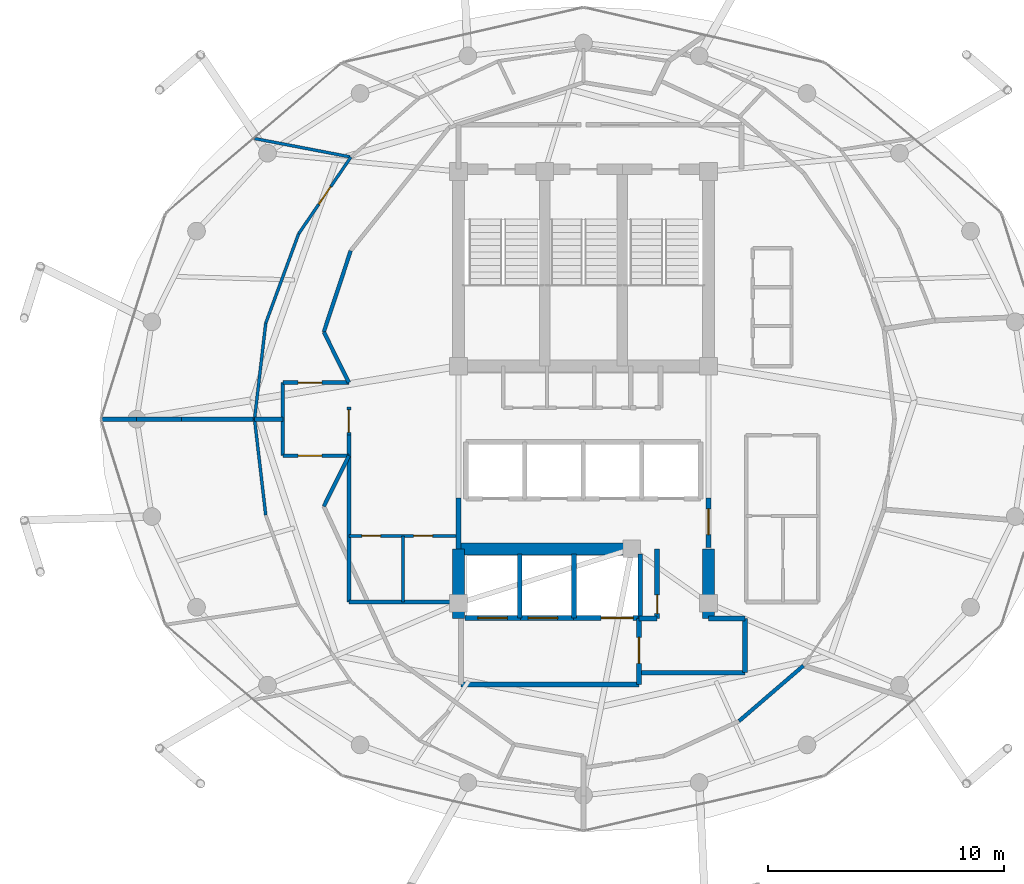
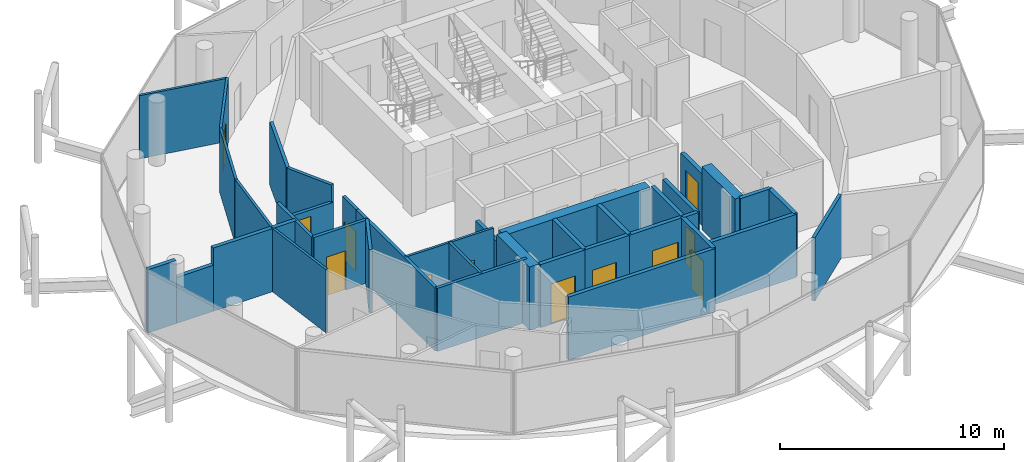
# One storey, part 20 of 24: 39 walls, 12 doors, 12 openings.
"""IFC4 building model written with IfcOpenShell, lengths in metres."""

from ifc_helpers import new_model, si_unit, direction, frame, frame_2d, origin, place, context, subcontext, project, spatial, rectangle, extrude, material, layer, layer_set, type_object, element, fill, save


model = new_model("IFC4")

# Units and contexts
model_context = context("Model", 3, precision=1e-05, world=origin(), true_north=direction((0.0, 1.0)))
body_context = subcontext(model_context, "Body", "Model", "MODEL_VIEW")
ifc_project = project(units=[si_unit("LENGTHUNIT", "METRE"), si_unit("AREAUNIT", "SQUARE_METRE"), si_unit("VOLUMEUNIT", "CUBIC_METRE"), si_unit("PLANEANGLEUNIT", "RADIAN"), si_unit("MASSUNIT", "GRAM", prefix="KILO")], contexts=[model_context])

# Site, building, storey
site_placement = place(None, origin())
site = spatial("IfcSite", under=ifc_project, at=site_placement, CompositionType="ELEMENT")
building_placement = place(site_placement, origin())
building = spatial("IfcBuilding", under=site, at=building_placement, Name="Nuhasar Tower", CompositionType="ELEMENT")
storey_placement = place(building_placement, frame((0.0, 0.0, 297.39990234375)))
storey = spatial("IfcBuildingStorey", under=building, at=storey_placement, Name="L74", CompositionType="ELEMENT", Elevation=297.39990234375)

# Walls
ifc_material_1 = material(Name="Concrete C50/60", Category="concrete")
ifc_layer_1 = layer(ifc_material_1, 0.5)
ifc_layer_set_1 = layer_set([ifc_layer_1], Name="Concrete C50/60")
wall_type_1 = type_object("IfcWallType", Name="WL-CORE-500", PredefinedType="SHEAR", material=ifc_layer_set_1)
for number, where, z_axis, x_axis, name in (
    (1, (33.699951171875, 18.35009765625, 0.0), (0.0, 0.0, 1.0), (0.0, 1.0, 0.0), "L74 Core Shear Wall CW-SW CW-500"),
    (2, (44.300048828125, 18.35009765625, 0.0), (0.0, 0.0, 1.0), (0.0, 1.0, 0.0), "L74 Core Shear Wall CW-SE CW-500"),
):
    element("IfcWall", number, at=place(storey_placement, frame(where, z_axis=z_axis, x_axis=x_axis)), inside=storey, type_object=wall_type_1, Name=name, PredefinedType="SHEAR", context=body_context, shape_type="SweptSolid", body=[
        extrude(rectangle(XDim=2.949951171875, YDim=0.5, at=frame_2d((1.47509765625, 0.0))), origin(), (0.0, 0.0, 1.0), 3.4501953125),
    ])
wall_1_placement = place(storey_placement, frame((33.699951171875, 21.300048828125, 0.0), z_axis=(0.0, 0.0, 1.0), x_axis=(1.0, 0.0, 0.0)))
element("IfcWall", 3, at=wall_1_placement, inside=storey, type_object=wall_type_1, Name="L74 Core Shear Wall CW-S1 CW-500", PredefinedType="SHEAR", context=body_context, shape_type="SweptSolid", body=[
    extrude(rectangle(XDim=7.550048828125, YDim=0.5, at=frame_2d((3.77490234375, 0.0))), origin(), (0.0, 0.0, 1.0), 3.4501953125),
])
ifc_material_2 = material(Name="Gypsum Board", Category="gypsum")
ifc_layer_2 = layer(ifc_material_2, 0.159912109375)
ifc_layer_set_2 = layer_set([ifc_layer_2], Name="Gypsum Board")
wall_type_2 = type_object("IfcWallType", Name="WL-CORR-160", PredefinedType="PARTITIONING", material=ifc_layer_set_2)
wall_2_placement = place(storey_placement, frame((29.050048828125, 19.050048828125, 0.0), z_axis=(0.0, 0.0, 1.0), x_axis=(1.0, 0.0, 0.0)))
element("IfcWall", 4, at=wall_2_placement, inside=storey, type_object=wall_type_2, Name="L74 Interior Partition RECL-B1-S", PredefinedType="PARTITIONING", context=body_context, shape_type="SweptSolid", body=[
    extrude(rectangle(XDim=4.64990234375, YDim=0.159912109375, at=frame_2d((2.324951171875, 0.0))), origin(), (0.0, 0.0, 1.0), 3.4501953125),
])
wall_3_placement = place(storey_placement, frame((29.050048828125, 19.050048828125, 0.0), z_axis=(0.0, 0.0, 1.0), x_axis=(0.0, 1.0, 0.0)))
element("IfcWall", 5, at=wall_3_placement, inside=storey, type_object=wall_type_2, Name="L74 Interior Partition RECL-B1-W", PredefinedType="PARTITIONING", context=body_context, shape_type="SweptSolid", body=[
    extrude(rectangle(XDim=7.070068359375, YDim=0.159912109375, at=frame_2d((3.53515625, 0.0))), origin(), (0.0, 0.0, 1.0), 3.4501953125),
])

# Wall, opening, door
wall_4_placement = place(storey_placement, frame((29.050048828125, 26.1201171875, 0.0), z_axis=(0.0, 0.0, 1.0), x_axis=(0.0, 1.0, 0.0)))
wall_4 = element("IfcWall", 6, at=wall_4_placement, inside=storey, type_object=wall_type_2, Name="L74 Interior Partition WVEST-E", PredefinedType="PARTITIONING", context=body_context, shape_type="SweptSolid", body=[
    extrude(rectangle(XDim=1.199951171875, YDim=0.159912109375, at=frame_2d((0.60009765625, 0.0))), origin(), (0.0, 0.0, 1.0), 3.4501953125),
])
opening_1_placement = place(wall_4_placement, frame((0.125, 0.0, 0.0)))
opening_1 = element("IfcOpeningElement", 7, at=opening_1_placement, cuts=wall_4, Name="Opening DO-01", PredefinedType="OPENING", context=body_context, shape_type="SweptSolid", body=[
    extrude(rectangle(XDim=0.949951171875, YDim=2.14990234375, at=frame_2d((0.47509765625, 1.074951171875))), frame((0.0, 0.08984375, 0.0), z_axis=(0.0, -1.0, 0.0), x_axis=(1.0, 0.0, 0.0)), (0.0, 0.0, 1.0), 0.179931640625),
])
ifc_material_3 = material(Name="Timber Oak", Category="wood")
door_type_1 = type_object("IfcDoorType", Name="DR-OFFICE-FD30-950", OperationType="NOTDEFINED", PredefinedType="DOOR", material=ifc_material_3)
door_1_placement = place(opening_1_placement, origin())
door_1 = element("IfcDoor", 8, at=door_1_placement, inside=storey, type_object=door_type_1, Name="L74 West Arrival Foyer Core Door", OperationType="SINGLE_SWING_RIGHT", OverallHeight=2.14990234375, OverallWidth=0.949951171875, PredefinedType="DOOR", context=body_context, shape_type="SweptSolid", body=[
    extrude(rectangle(XDim=0.949951171875, YDim=2.14990234375, at=frame_2d((0.47509765625, 1.074951171875))), frame((0.0, 0.02490234375, 0.0), z_axis=(0.0, -1.0, 0.0), x_axis=(1.0, 0.0, 0.0)), (0.0, 0.0, 1.0), 0.050048828125),
])
fill(opening_1, door_1)

# Walls
wall_5_placement = place(storey_placement, frame((45.594970703125, 14.0, 0.0), z_axis=(0.0, 0.0, 1.0), x_axis=(0.758232091793, 0.651984735231, 0.0)))
element("IfcWall", 9, at=wall_5_placement, inside=storey, type_object=wall_type_2, Name="L74 Interior Partition CORR-40", PredefinedType="PARTITIONING", context=body_context, shape_type="SweptSolid", body=[
    extrude(rectangle(XDim=3.60302734375, YDim=0.159912109375, at=frame_2d((1.801513671875, 0.0))), origin(), (0.0, 0.0, 1.0), 3.4501953125),
])
wall_6_placement = place(storey_placement, frame((29.126953125, 33.93994140625, 0.0), z_axis=(0.0, 0.0, 1.0), x_axis=(-0.313985571683, -0.949427754374, 0.0)))
element("IfcWall", 10, at=wall_6_placement, inside=storey, type_object=wall_type_2, Name="L74 Interior Partition UWEST-CORE-N2-20", PredefinedType="PARTITIONING", context=body_context, shape_type="SweptSolid", body=[
    extrude(rectangle(XDim=3.627197265625, YDim=0.159912109375, at=frame_2d((1.8134765625, 0.0))), origin(), (0.0, 0.0, 1.0), 3.4501953125),
])

# Wall, opening, door
wall_7_placement = place(storey_placement, frame((26.25, 28.35009765625, 0.0), z_axis=(0.0, 0.0, 1.0), x_axis=(1.0, 0.0, 0.0)))
wall_7 = element("IfcWall", 11, at=wall_7_placement, inside=storey, type_object=wall_type_2, Name="L74 Interior Partition WVEST-N", PredefinedType="PARTITIONING", context=body_context, shape_type="SweptSolid", body=[
    extrude(rectangle(XDim=2.800048828125, YDim=0.159912109375, at=frame_2d((1.39990234375, 0.0))), origin(), (0.0, 0.0, 1.0), 2.51513671875),
])
opening_2_placement = place(wall_7_placement, frame((0.64990234375, 0.0, 0.0)))
opening_2 = element("IfcOpeningElement", 12, at=opening_2_placement, cuts=wall_7, Name="Opening DU-02", PredefinedType="OPENING", context=body_context, shape_type="SweptSolid", body=[
    extrude(rectangle(XDim=1.0, YDim=2.14990234375, at=frame_2d((0.5, 1.074951171875))), frame((0.0, 0.08984375, 0.0), z_axis=(0.0, -1.0, 0.0), x_axis=(1.0, 0.0, 0.0)), (0.0, 0.0, 1.0), 0.179931640625),
])
door_type_2 = type_object("IfcDoorType", Name="DR-FLAT-FD60-1000", OperationType="NOTDEFINED", PredefinedType="DOOR", material=ifc_material_3)
door_2_placement = place(opening_2_placement, origin())
door_2 = element("IfcDoor", 13, at=door_2_placement, inside=storey, type_object=door_type_2, Name="L74 North-West Sky Home Entrance", OperationType="SINGLE_SWING_LEFT", OverallHeight=2.14990234375, OverallWidth=1.0, PredefinedType="DOOR", context=body_context, shape_type="SweptSolid", body=[
    extrude(rectangle(XDim=1.0, YDim=2.14990234375, at=frame_2d((0.5, 1.074951171875))), frame((0.0, 0.02490234375, 0.0), z_axis=(0.0, -1.0, 0.0), x_axis=(1.0, 0.0, 0.0)), (0.0, 0.0, 1.0), 0.050048828125),
])
fill(opening_2, door_2)

wall_8_placement = place(storey_placement, frame((26.25, 25.25, 0.0), z_axis=(0.0, 0.0, 1.0), x_axis=(1.0, 0.0, 0.0)))
wall_8 = element("IfcWall", 14, at=wall_8_placement, inside=storey, type_object=wall_type_2, Name="L74 Interior Partition WVEST-S", PredefinedType="PARTITIONING", context=body_context, shape_type="SweptSolid", body=[
    extrude(rectangle(XDim=2.800048828125, YDim=0.159912109375, at=frame_2d((1.39990234375, 0.0))), origin(), (0.0, 0.0, 1.0), 3.4501953125),
])
opening_3_placement = place(wall_8_placement, frame((0.64990234375, 0.0, 0.0)))
opening_3 = element("IfcOpeningElement", 15, at=opening_3_placement, cuts=wall_8, Name="Opening DU-02", PredefinedType="OPENING", context=body_context, shape_type="SweptSolid", body=[
    extrude(rectangle(XDim=1.0, YDim=2.14990234375, at=frame_2d((0.5, 1.074951171875))), frame((0.0, 0.08984375, 0.0), z_axis=(0.0, -1.0, 0.0), x_axis=(1.0, 0.0, 0.0)), (0.0, 0.0, 1.0), 0.179931640625),
])
door_3_placement = place(opening_3_placement, origin())
door_3 = element("IfcDoor", 16, at=door_3_placement, inside=storey, type_object=door_type_2, Name="L74 South-West Sky Home Entrance", OperationType="SINGLE_SWING_LEFT", OverallHeight=2.14990234375, OverallWidth=1.0, PredefinedType="DOOR", context=body_context, shape_type="SweptSolid", body=[
    extrude(rectangle(XDim=1.0, YDim=2.14990234375, at=frame_2d((0.5, 1.074951171875))), frame((0.0, 0.02490234375, 0.0), z_axis=(0.0, -1.0, 0.0), x_axis=(1.0, 0.0, 0.0)), (0.0, 0.0, 1.0), 0.050048828125),
])
fill(opening_3, door_3)

# Walls
wall_9_placement = place(storey_placement, frame((26.25, 25.25, 0.0), z_axis=(0.0, 0.0, 1.0), x_axis=(0.0, 1.0, 0.0)))
element("IfcWall", 17, at=wall_9_placement, inside=storey, type_object=wall_type_2, Name="L74 Interior Partition WVEST-W", PredefinedType="PARTITIONING", context=body_context, shape_type="SweptSolid", body=[
    extrude(rectangle(XDim=3.10009765625, YDim=0.159912109375, at=frame_2d((1.550048828125, 0.0))), origin(), (0.0, 0.0, 1.0), 3.4501953125),
])
for number, where, z_axis, x_axis, name in (
    (18, (27.988037109375, 30.49609375, 0.0), (0.0, 0.0, 1.0), (0.443539160525, -0.896254993337, 0.0), "L74 Interior Partition WVEST-CN"),
    (19, (27.988037109375, 23.10400390625, 0.0), (0.0, 0.0, 1.0), (0.443539160525, 0.896254993337, 0.0), "L74 Interior Partition WVEST-CS"),
):
    element("IfcWall", number, at=place(storey_placement, frame(where, z_axis=z_axis, x_axis=x_axis)), inside=storey, type_object=wall_type_2, Name=name, PredefinedType="PARTITIONING", context=body_context, shape_type="SweptSolid", body=[
        extrude(rectangle(XDim=2.394287109375, YDim=0.159912109375, at=frame_2d((1.197265625, 0.0))), origin(), (0.0, 0.0, 1.0), 3.4501953125),
    ])
ifc_material_4 = material(Name="Concrete C45/55", Category="concrete")
ifc_layer_3 = layer(ifc_material_4, 0.199951171875)
ifc_layer_set_3 = layer_set([ifc_layer_3], Name="Concrete C45/55")
wall_type_3 = type_object("IfcWallType", Name="WL-LOBBY-200", PredefinedType="SOLIDWALL", material=ifc_layer_set_3)
wall_10_placement = place(storey_placement, frame((33.699951171875, 21.300048828125, 0.0), z_axis=(0.0, 0.0, 1.0), x_axis=(0.0, 1.0, 0.0)))
element("IfcWall", 20, at=wall_10_placement, inside=storey, type_object=wall_type_3, Name="L74 Interior Partition LLBH-W", PredefinedType="SOLIDWALL", context=body_context, shape_type="SweptSolid", body=[
    extrude(rectangle(XDim=2.14990234375, YDim=0.199951171875, at=frame_2d((1.074951171875, 0.0))), origin(), (0.0, 0.0, 1.0), 2.835205078125),
])

# Wall, opening, door
wall_11_placement = place(storey_placement, frame((44.300048828125, 21.35009765625, 0.0), z_axis=(0.0, 0.0, 1.0), x_axis=(0.0, 1.0, 0.0)))
wall_11 = element("IfcWall", 21, at=wall_11_placement, inside=storey, type_object=wall_type_3, Name="L74 Interior Partition LLBH-E", PredefinedType="SOLIDWALL", context=body_context, shape_type="SweptSolid", body=[
    extrude(rectangle(XDim=2.099853515625, YDim=0.199951171875, at=frame_2d((1.0498046875, 0.0))), origin(), (0.0, 0.0, 1.0), 2.835205078125),
])
opening_4_placement = place(wall_11_placement, frame((0.550048828125, 0.0, 0.0)))
opening_4 = element("IfcOpeningElement", 22, at=opening_4_placement, cuts=wall_11, Name="Opening DS-02", PredefinedType="OPENING", context=body_context, shape_type="SweptSolid", body=[
    extrude(rectangle(XDim=1.10009765625, YDim=2.14990234375, at=frame_2d((0.550048828125, 1.074951171875))), frame((0.0, 0.10986328125, 0.0), z_axis=(0.0, -1.0, 0.0), x_axis=(1.0, 0.0, 0.0)), (0.0, 0.0, 1.0), 0.219970703125),
])
ifc_material_5 = material(Name="Steel S355", Category="steel")
door_type_3 = type_object("IfcDoorType", Name="DR-FFL-FD120-1100", OperationType="NOTDEFINED", PredefinedType="DOOR", material=ifc_material_5)
door_4_placement = place(opening_4_placement, origin())
door_4 = element("IfcDoor", 23, at=door_4_placement, inside=storey, type_object=door_type_3, Name="L74 High-Rise Lobby East Door", OperationType="SINGLE_SWING_RIGHT", OverallHeight=2.14990234375, OverallWidth=1.10009765625, PredefinedType="DOOR", context=body_context, shape_type="SweptSolid", body=[
    extrude(rectangle(XDim=1.10009765625, YDim=2.14990234375, at=frame_2d((0.550048828125, 1.074951171875))), frame((0.0, 0.02490234375, 0.0), z_axis=(0.0, -1.0, 0.0), x_axis=(1.0, 0.0, 0.0)), (0.0, 0.0, 1.0), 0.050048828125),
])
fill(opening_4, door_4)

# Wall
wall_12_placement = place(storey_placement, frame((33.800048828125, 15.550048828125, 0.0), z_axis=(0.0, 0.0, 1.0), x_axis=(1.0, 0.0, 0.0)))
element("IfcWall", 24, at=wall_12_placement, inside=storey, type_object=wall_type_3, Name="L74 Interior Partition FFL-S", PredefinedType="SOLIDWALL", context=body_context, shape_type="SweptSolid", body=[
    extrude(rectangle(XDim=7.550048828125, YDim=0.199951171875, at=frame_2d((3.77490234375, 0.0))), origin(), (0.0, 0.0, 1.0), 3.4501953125),
])

# Wall, opening, door
wall_13_placement = place(storey_placement, frame((41.35009765625, 15.550048828125, 0.0), z_axis=(0.0, 0.0, 1.0), x_axis=(0.0, 1.0, 0.0)))
wall_13 = element("IfcWall", 25, at=wall_13_placement, inside=storey, type_object=wall_type_3, Name="L74 Interior Partition FFL-E", PredefinedType="SOLIDWALL", context=body_context, shape_type="SweptSolid", body=[
    extrude(rectangle(XDim=2.800048828125, YDim=0.199951171875, at=frame_2d((1.39990234375, 0.0))), origin(), (0.0, 0.0, 1.0), 3.4501953125),
])
opening_5_placement = place(wall_13_placement, frame((0.89990234375, 0.0, 0.0)))
opening_5 = element("IfcOpeningElement", 26, at=opening_5_placement, cuts=wall_13, Name="Opening DS-02", PredefinedType="OPENING", context=body_context, shape_type="SweptSolid", body=[
    extrude(rectangle(XDim=1.10009765625, YDim=2.14990234375, at=frame_2d((0.550048828125, 1.074951171875))), frame((0.0, 0.10986328125, 0.0), z_axis=(0.0, -1.0, 0.0), x_axis=(1.0, 0.0, 0.0)), (0.0, 0.0, 1.0), 0.219970703125),
])
door_5_placement = place(opening_5_placement, origin())
door_5 = element("IfcDoor", 27, at=door_5_placement, inside=storey, type_object=door_type_3, Name="L74 Firefighting Lobby Door", OperationType="SINGLE_SWING_RIGHT", OverallHeight=2.14990234375, OverallWidth=1.10009765625, PredefinedType="DOOR", context=body_context, shape_type="SweptSolid", body=[
    extrude(rectangle(XDim=1.10009765625, YDim=2.14990234375, at=frame_2d((0.550048828125, 1.074951171875))), frame((0.0, 0.02490234375, 0.0), z_axis=(0.0, -1.0, 0.0), x_axis=(1.0, 0.0, 0.0)), (0.0, 0.0, 1.0), 0.050048828125),
])
fill(opening_5, door_5)

# Walls
wall_14_placement = place(storey_placement, frame((41.35009765625, 16.050048828125, 0.0), z_axis=(0.0, 0.0, 1.0), x_axis=(1.0, 0.0, 0.0)))
element("IfcWall", 28, at=wall_14_placement, inside=storey, type_object=wall_type_3, Name="L74 Interior Partition SVLV-S", PredefinedType="SOLIDWALL", context=body_context, shape_type="SweptSolid", body=[
    extrude(rectangle(XDim=4.5, YDim=0.199951171875, at=frame_2d((2.25, 0.0))), origin(), (0.0, 0.0, 1.0), 3.4501953125),
])
wall_15_placement = place(storey_placement, frame((45.85009765625, 16.050048828125, 0.0), z_axis=(0.0, 0.0, 1.0), x_axis=(0.0, 1.0, 0.0)))
element("IfcWall", 29, at=wall_15_placement, inside=storey, type_object=wall_type_3, Name="L74 Interior Partition SVLV-E", PredefinedType="SOLIDWALL", context=body_context, shape_type="SweptSolid", body=[
    extrude(rectangle(XDim=2.300048828125, YDim=0.199951171875, at=frame_2d((1.14990234375, 0.0))), origin(), (0.0, 0.0, 1.0), 3.4501953125),
])
wall_16_placement = place(storey_placement, frame((44.300048828125, 18.35009765625, 0.0), z_axis=(0.0, 0.0, 1.0), x_axis=(1.0, 0.0, 0.0)))
element("IfcWall", 30, at=wall_16_placement, inside=storey, type_object=wall_type_3, Name="L74 Interior Partition SVLV-N", PredefinedType="SOLIDWALL", context=body_context, shape_type="SweptSolid", body=[
    extrude(rectangle(XDim=1.550048828125, YDim=0.199951171875, at=frame_2d((0.77490234375, 0.0))), origin(), (0.0, 0.0, 1.0), 3.4501953125),
])

# Wall, openings, doors
ifc_layer_4 = layer(ifc_material_2, 0.125)
ifc_layer_set_4 = layer_set([ifc_layer_4], Name="Gypsum Board")
wall_type_4 = type_object("IfcWallType", Name="WL-PART-125", PredefinedType="PARTITIONING", material=ifc_layer_set_4)
wall_17_placement = place(storey_placement, frame((33.60009765625, 21.85009765625, 0.0), z_axis=(0.0, 0.0, 1.0), x_axis=(-1.0, 0.0, 0.0)))
wall_17 = element("IfcWall", 31, at=wall_17_placement, inside=storey, type_object=wall_type_4, Name="L74 Interior Partition HKPK1-N", PredefinedType="PARTITIONING", context=body_context, shape_type="SweptSolid", body=[
    extrude(rectangle(XDim=4.550048828125, YDim=0.125, at=frame_2d((2.27490234375, 0.0))), origin(), (0.0, 0.0, 1.0), 3.4501953125),
])
opening_6_placement = place(wall_17_placement, frame((3.199951171875, 0.0, 0.0)))
opening_6 = element("IfcOpeningElement", 32, at=opening_6_placement, cuts=wall_17, Name="Opening DM-01", PredefinedType="OPENING", context=body_context, shape_type="SweptSolid", body=[
    extrude(rectangle(XDim=0.800048828125, YDim=2.050048828125, at=frame_2d((0.39990234375, 1.02490234375))), frame((0.0, 0.072509765625, 0.0), z_axis=(0.0, -1.0, 0.0), x_axis=(1.0, 0.0, 0.0)), (0.0, 0.0, 1.0), 0.14501953125),
])
opening_7_placement = place(wall_17_placement, frame((1.0, 0.0, 0.0)))
opening_7 = element("IfcOpeningElement", 33, at=opening_7_placement, cuts=wall_17, Name="Opening DM-01", PredefinedType="OPENING", context=body_context, shape_type="SweptSolid", body=[
    extrude(rectangle(XDim=0.800048828125, YDim=2.050048828125, at=frame_2d((0.39990234375, 1.02490234375))), frame((0.0, 0.072509765625, 0.0), z_axis=(0.0, -1.0, 0.0), x_axis=(1.0, 0.0, 0.0)), (0.0, 0.0, 1.0), 0.14501953125),
])
door_type_4 = type_object("IfcDoorType", Name="DR-RISER-FD60-800", OperationType="NOTDEFINED", PredefinedType="DOOR", material=ifc_material_5)
door_6_placement = place(opening_6_placement, origin())
door_6 = element("IfcDoor", 34, at=door_6_placement, inside=storey, type_object=door_type_4, Name="L74 Housekeeping Closet Door", OperationType="SINGLE_SWING_RIGHT", OverallHeight=2.050048828125, OverallWidth=0.800048828125, PredefinedType="DOOR", context=body_context, shape_type="SweptSolid", body=[
    extrude(rectangle(XDim=0.800048828125, YDim=2.050048828125, at=frame_2d((0.39990234375, 1.02490234375))), frame((0.0, 0.02490234375, 0.0), z_axis=(0.0, -1.0, 0.0), x_axis=(1.0, 0.0, 0.0)), (0.0, 0.0, 1.0), 0.050048828125),
])
fill(opening_6, door_6)
door_7_placement = place(opening_7_placement, origin())
door_7 = element("IfcDoor", 35, at=door_7_placement, inside=storey, type_object=door_type_4, Name="L74 Linen Store Door", OperationType="SINGLE_SWING_LEFT", OverallHeight=2.050048828125, OverallWidth=0.800048828125, PredefinedType="DOOR", context=body_context, shape_type="SweptSolid", body=[
    extrude(rectangle(XDim=0.800048828125, YDim=2.050048828125, at=frame_2d((0.39990234375, 1.02490234375))), frame((0.0, 0.02490234375, 0.0), z_axis=(0.0, -1.0, 0.0), x_axis=(1.0, 0.0, 0.0)), (0.0, 0.0, 1.0), 0.050048828125),
])
fill(opening_7, door_7)

# Wall
wall_18_placement = place(storey_placement, frame((31.35009765625, 19.050048828125, 0.0), z_axis=(0.0, 0.0, 1.0), x_axis=(0.0, 1.0, 0.0)))
element("IfcWall", 36, at=wall_18_placement, inside=storey, type_object=wall_type_4, Name="L74 Interior Partition HKPK1-V", PredefinedType="PARTITIONING", context=body_context, shape_type="SweptSolid", body=[
    extrude(rectangle(XDim=2.800048828125, YDim=0.125, at=frame_2d((1.39990234375, 0.0))), origin(), (0.0, 0.0, 1.0), 3.4501953125),
])

# Wall, opening, door
wall_19_placement = place(storey_placement, frame((26.9189453125, 34.659912109375, 0.0), z_axis=(0.0, 0.0, 1.0), x_axis=(0.562811699753, 0.826585138157, 0.0)))
wall_19 = element("IfcWall", 37, at=wall_19_placement, inside=storey, type_object=wall_type_4, Name="L74 Interior Partition USM-1-D-18", PredefinedType="PARTITIONING", context=body_context, shape_type="SweptSolid", body=[
    extrude(rectangle(XDim=3.939208984375, YDim=0.125, at=frame_2d((1.9697265625, 0.0))), origin(), (0.0, 0.0, 1.0), 3.4501953125),
])
opening_8_placement = place(wall_19_placement, frame((1.52001953125, 0.0, 0.0)))
opening_8 = element("IfcOpeningElement", 38, at=opening_8_placement, cuts=wall_19, Name="Opening DR-01", PredefinedType="OPENING", context=body_context, shape_type="SweptSolid", body=[
    extrude(rectangle(XDim=0.89990234375, YDim=2.10009765625, at=frame_2d((0.449951171875, 1.050048828125))), frame((0.0, 0.072509765625, 0.0), z_axis=(0.0, -1.0, 0.0), x_axis=(1.0, 0.0, 0.0)), (0.0, 0.0, 1.0), 0.14501953125),
])
door_type_5 = type_object("IfcDoorType", Name="DR-ROOM-900", OperationType="NOTDEFINED", PredefinedType="DOOR", material=ifc_material_3)
door_8_placement = place(opening_8_placement, origin())
door_8 = element("IfcDoor", 39, at=door_8_placement, inside=storey, type_object=door_type_5, Name="L74 North-West Sky Home Living Door", OperationType="SINGLE_SWING_RIGHT", OverallHeight=2.10009765625, OverallWidth=0.89990234375, PredefinedType="DOOR", context=body_context, shape_type="SweptSolid", body=[
    extrude(rectangle(XDim=0.89990234375, YDim=2.10009765625, at=frame_2d((0.449951171875, 1.050048828125))), frame((0.0, 0.02490234375, 0.0), z_axis=(0.0, -1.0, 0.0), x_axis=(1.0, 0.0, 0.0)), (0.0, 0.0, 1.0), 0.050048828125),
])
fill(opening_8, door_8)

# Walls
wall_20_placement = place(storey_placement, frame((26.9189453125, 34.659912109375, 0.0), z_axis=(0.0, 0.0, 1.0), x_axis=(-0.345128286029, -0.938555521097, 0.0)))
element("IfcWall", 40, at=wall_20_placement, inside=storey, type_object=wall_type_4, Name="L74 Interior Partition USM-1-D-20", PredefinedType="PARTITIONING", context=body_context, shape_type="SweptSolid", body=[
    extrude(rectangle(XDim=4.039306640625, YDim=0.125, at=frame_2d((2.01953125, 0.0))), origin(), (0.0, 0.0, 1.0), 3.4501953125),
])
wall_21_placement = place(storey_placement, frame((25.52490234375, 30.868896484375, 0.0), z_axis=(0.0, 0.0, 1.0), x_axis=(-0.115917937966, -0.993258793899, 0.0)))
element("IfcWall", 41, at=wall_21_placement, inside=storey, type_object=wall_type_4, Name="L74 Interior Partition USM-1-D-22", PredefinedType="PARTITIONING", context=body_context, shape_type="SweptSolid", body=[
    extrude(rectangle(XDim=4.096435546875, YDim=0.125, at=frame_2d((2.04833984375, 0.0))), origin(), (0.0, 0.0, 1.0), 3.4501953125),
])
wall_22_placement = place(storey_placement, frame((29.135986328125, 37.916015625, 0.0), z_axis=(0.0, 0.0, 1.0), x_axis=(-0.982044095555, 0.188651515727, 0.0)))
element("IfcWall", 42, at=wall_22_placement, inside=storey, type_object=wall_type_4, Name="L74 Interior Partition USO-1-B2", PredefinedType="PARTITIONING", context=body_context, shape_type="SweptSolid", body=[
    extrude(rectangle(XDim=4.16064453125, YDim=0.125, at=frame_2d((2.080322265625, 0.0))), origin(), (0.0, 0.0, 1.0), 3.4501953125),
])
wall_23_placement = place(storey_placement, frame((25.050048828125, 26.800048828125, 0.0), z_axis=(0.0, 0.0, 1.0), x_axis=(0.115911076473, -0.993259594643, 0.0)))
element("IfcWall", 43, at=wall_23_placement, inside=storey, type_object=wall_type_4, Name="L74 Interior Partition USM-2-D-24", PredefinedType="PARTITIONING", context=body_context, shape_type="SweptSolid", body=[
    extrude(rectangle(XDim=4.0966796875, YDim=0.125, at=frame_2d((2.04833984375, 0.0))), origin(), (0.0, 0.0, 1.0), 3.4501953125),
])

# Wall, opening, door
ifc_layer_5 = layer(ifc_material_4, 0.199951171875)
ifc_layer_set_5 = layer_set([ifc_layer_5], Name="Concrete C45/55")
wall_type_5 = type_object("IfcWallType", Name="WL-SHAFT-200", PredefinedType="SOLIDWALL", material=ifc_layer_set_5)
wall_24_placement = place(storey_placement, frame((33.969970703125, 18.3701171875, 0.0), z_axis=(0.0, 0.0, 1.0), x_axis=(1.0, 0.0, 0.0)))
wall_24 = element("IfcWall", 44, at=wall_24_placement, inside=storey, type_object=wall_type_5, Name="L74 Interior Partition SHF-FFL-01-S", PredefinedType="SOLIDWALL", context=body_context, shape_type="SweptSolid", body=[
    extrude(rectangle(XDim=2.360107421875, YDim=0.199951171875, at=frame_2d((1.18017578125, 0.0))), origin(), (0.0, 0.0, 1.0), 3.4501953125),
])
opening_9_placement = place(wall_24_placement, frame((0.554931640625, 0.0, 0.0)))
opening_9 = element("IfcOpeningElement", 45, at=opening_9_placement, cuts=wall_24, Name="Opening LD-F01", PredefinedType="OPENING", context=body_context, shape_type="SweptSolid", body=[
    extrude(rectangle(XDim=1.25, YDim=2.199951171875, at=frame_2d((0.625, 1.10009765625))), frame((0.0, 0.10986328125, 0.0), z_axis=(0.0, -1.0, 0.0), x_axis=(1.0, 0.0, 0.0)), (0.0, 0.0, 1.0), 0.219970703125),
])
ifc_material_6 = material(Name="Stainless Steel 316L", Category="steel")
door_type_6 = type_object("IfcDoorType", Name="LD-FFL-1250", OperationType="DOUBLE_DOOR_SLIDING", PredefinedType="DOOR", material=ifc_material_6)
door_9_placement = place(opening_9_placement, origin())
door_9 = element("IfcDoor", 46, at=door_9_placement, inside=storey, type_object=door_type_6, Name="L74 Lift Landing Door FFL-01", OperationType="DOUBLE_DOOR_SLIDING", OverallHeight=2.199951171875, OverallWidth=1.25, PredefinedType="DOOR", context=body_context, shape_type="SweptSolid", body=[
    extrude(rectangle(XDim=1.25, YDim=2.199951171875, at=frame_2d((0.625, 1.10009765625))), frame((0.0, 0.02490234375, 0.0), z_axis=(0.0, -1.0, 0.0), x_axis=(1.0, 0.0, 0.0)), (0.0, 0.0, 1.0), 0.050048828125),
])
fill(opening_9, door_9)

# Wall
wall_25_placement = place(storey_placement, frame((36.300048828125, 18.3701171875, 0.0), z_axis=(0.0, 0.0, 1.0), x_axis=(0.0, 1.0, 0.0)))
element("IfcWall", 47, at=wall_25_placement, inside=storey, type_object=wall_type_5, Name="L74 Interior Partition SHF-FFL-01-E", PredefinedType="SOLIDWALL", context=body_context, shape_type="SweptSolid", body=[
    extrude(rectangle(XDim=2.7099609375, YDim=0.199951171875, at=frame_2d((1.35498046875, 0.0))), origin(), (0.0, 0.0, 1.0), 3.4501953125),
])

# Wall, opening, door
wall_26_placement = place(storey_placement, frame((36.27001953125, 18.3701171875, 0.0), z_axis=(0.0, 0.0, 1.0), x_axis=(1.0, 0.0, 0.0)))
wall_26 = element("IfcWall", 48, at=wall_26_placement, inside=storey, type_object=wall_type_5, Name="L74 Interior Partition SHF-FFL-02-S", PredefinedType="SOLIDWALL", context=body_context, shape_type="SweptSolid", body=[
    extrude(rectangle(XDim=2.35986328125, YDim=0.199951171875, at=frame_2d((1.179931640625, 0.0))), origin(), (0.0, 0.0, 1.0), 3.4501953125),
])
opening_10_placement = place(wall_26_placement, frame((0.3798828125, 0.0, 0.0)))
opening_10 = element("IfcOpeningElement", 49, at=opening_10_placement, cuts=wall_26, Name="Opening LD-F02", PredefinedType="OPENING", context=body_context, shape_type="SweptSolid", body=[
    extrude(rectangle(XDim=1.25, YDim=2.199951171875, at=frame_2d((0.625, 1.10009765625))), frame((0.0, 0.10986328125, 0.0), z_axis=(0.0, -1.0, 0.0), x_axis=(1.0, 0.0, 0.0)), (0.0, 0.0, 1.0), 0.219970703125),
])
door_10_placement = place(opening_10_placement, origin())
door_10 = element("IfcDoor", 50, at=door_10_placement, inside=storey, type_object=door_type_6, Name="L74 Lift Landing Door FFL-02", OperationType="DOUBLE_DOOR_SLIDING", OverallHeight=2.199951171875, OverallWidth=1.25, PredefinedType="DOOR", context=body_context, shape_type="SweptSolid", body=[
    extrude(rectangle(XDim=1.25, YDim=2.199951171875, at=frame_2d((0.625, 1.10009765625))), frame((0.0, 0.02490234375, 0.0), z_axis=(0.0, -1.0, 0.0), x_axis=(1.0, 0.0, 0.0)), (0.0, 0.0, 1.0), 0.050048828125),
])
fill(opening_10, door_10)

# Wall
wall_27_placement = place(storey_placement, frame((38.60009765625, 18.3701171875, 0.0), z_axis=(0.0, 0.0, 1.0), x_axis=(0.0, 1.0, 0.0)))
element("IfcWall", 51, at=wall_27_placement, inside=storey, type_object=wall_type_5, Name="L74 Interior Partition SHF-FFL-02-E", PredefinedType="SOLIDWALL", context=body_context, shape_type="SweptSolid", body=[
    extrude(rectangle(XDim=2.7099609375, YDim=0.199951171875, at=frame_2d((1.35498046875, 0.0))), origin(), (0.0, 0.0, 1.0), 3.4501953125),
])

# Wall, opening, door
wall_28_placement = place(storey_placement, frame((38.570068359375, 18.3701171875, 0.0), z_axis=(0.0, 0.0, 1.0), x_axis=(1.0, 0.0, 0.0)))
wall_28 = element("IfcWall", 52, at=wall_28_placement, inside=storey, type_object=wall_type_5, Name="L74 Interior Partition SHF-SVL-01-S", PredefinedType="SOLIDWALL", context=body_context, shape_type="SweptSolid", body=[
    extrude(rectangle(XDim=2.829833984375, YDim=0.199951171875, at=frame_2d((1.4150390625, 0.0))), origin(), (0.0, 0.0, 1.0), 3.4501953125),
])
opening_11_placement = place(wall_28_placement, frame((1.179931640625, 0.0, 0.0)))
opening_11 = element("IfcOpeningElement", 53, at=opening_11_placement, cuts=wall_28, Name="Opening LD-S01", PredefinedType="OPENING", context=body_context, shape_type="SweptSolid", body=[
    extrude(rectangle(XDim=1.35009765625, YDim=2.179931640625, at=frame_2d((0.675048828125, 1.08984375))), frame((0.0, 0.10986328125, 0.0), z_axis=(0.0, -1.0, 0.0), x_axis=(1.0, 0.0, 0.0)), (0.0, 0.0, 1.0), 0.219970703125),
])
door_type_7 = type_object("IfcDoorType", Name="LD-SVL-1350", OperationType="DOUBLE_DOOR_SLIDING", PredefinedType="DOOR", material=ifc_material_6)
door_11_placement = place(opening_11_placement, origin())
door_11 = element("IfcDoor", 54, at=door_11_placement, inside=storey, type_object=door_type_7, Name="L74 Lift Landing Door SVL-01", OperationType="DOUBLE_DOOR_SLIDING", OverallHeight=2.179931640625, OverallWidth=1.35009765625, PredefinedType="DOOR", context=body_context, shape_type="SweptSolid", body=[
    extrude(rectangle(XDim=1.35009765625, YDim=2.179931640625, at=frame_2d((0.675048828125, 1.08984375))), frame((0.0, 0.02490234375, 0.0), z_axis=(0.0, -1.0, 0.0), x_axis=(1.0, 0.0, 0.0)), (0.0, 0.0, 1.0), 0.050048828125),
])
fill(opening_11, door_11)

# Wall
wall_29_placement = place(storey_placement, frame((41.39990234375, 18.3701171875, 0.0), z_axis=(0.0, 0.0, 1.0), x_axis=(0.0, 1.0, 0.0)))
element("IfcWall", 55, at=wall_29_placement, inside=storey, type_object=wall_type_5, Name="L74 Interior Partition SHF-SVL-01-E", PredefinedType="SOLIDWALL", context=body_context, shape_type="SweptSolid", body=[
    extrude(rectangle(XDim=2.7099609375, YDim=0.199951171875, at=frame_2d((1.35498046875, 0.0))), origin(), (0.0, 0.0, 1.0), 3.4501953125),
])

# Wall, opening, door
wall_30_placement = place(storey_placement, frame((42.1201171875, 18.35009765625, 0.0), z_axis=(0.0, 0.0, 1.0), x_axis=(0.0, 1.0, 0.0)))
wall_30 = element("IfcWall", 56, at=wall_30_placement, inside=storey, type_object=wall_type_5, Name="L74 Interior Partition RSR-E", PredefinedType="SOLIDWALL", context=body_context, shape_type="SweptSolid", body=[
    extrude(rectangle(XDim=2.949951171875, YDim=0.199951171875, at=frame_2d((1.47509765625, 0.0))), origin(), (0.0, 0.0, 1.0), 3.4501953125),
])
opening_12_placement = place(wall_30_placement, frame((0.199951171875, 0.0, 0.0)))
opening_12 = element("IfcOpeningElement", 57, at=opening_12_placement, cuts=wall_30, Name="Opening DM-01", PredefinedType="OPENING", context=body_context, shape_type="SweptSolid", body=[
    extrude(rectangle(XDim=0.800048828125, YDim=2.050048828125, at=frame_2d((0.39990234375, 1.02490234375))), frame((0.0, 0.10986328125, 0.0), z_axis=(0.0, -1.0, 0.0), x_axis=(1.0, 0.0, 0.0)), (0.0, 0.0, 1.0), 0.219970703125),
])
door_12_placement = place(opening_12_placement, origin())
door_12 = element("IfcDoor", 58, at=door_12_placement, inside=storey, type_object=door_type_4, Name="L74 MEP Riser Access Door", OperationType="SINGLE_SWING_LEFT", OverallHeight=2.050048828125, OverallWidth=0.800048828125, PredefinedType="DOOR", context=body_context, shape_type="SweptSolid", body=[
    extrude(rectangle(XDim=0.800048828125, YDim=2.050048828125, at=frame_2d((0.39990234375, 1.02490234375))), frame((0.0, 0.02490234375, 0.0), z_axis=(0.0, -1.0, 0.0), x_axis=(1.0, 0.0, 0.0)), (0.0, 0.0, 1.0), 0.050048828125),
])
fill(opening_12, door_12)

# Walls
wall_31_placement = place(storey_placement, frame((41.35009765625, 18.35009765625, 0.0), z_axis=(0.0, 0.0, 1.0), x_axis=(1.0, 0.0, 0.0)))
element("IfcWall", 59, at=wall_31_placement, inside=storey, type_object=wall_type_5, Name="L74 Interior Partition RSR-S", PredefinedType="SOLIDWALL", context=body_context, shape_type="SweptSolid", body=[
    extrude(rectangle(XDim=0.77001953125, YDim=0.199951171875, at=frame_2d((0.385009765625, 0.0))), origin(), (0.0, 0.0, 1.0), 3.4501953125),
])
ifc_material_7 = material(Name="Concrete C40/50 precast", Category="concrete")
ifc_layer_6 = layer(ifc_material_7, 0.199951171875)
ifc_layer_set_6 = layer_set([ifc_layer_6], Name="Concrete C40/50 precast")
wall_type_6 = type_object("IfcWallType", Name="WL-UNIT-200", PredefinedType="PARTITIONING", material=ifc_layer_set_6)
wall_32_placement = place(storey_placement, frame((26.25, 26.800048828125, 0.0), z_axis=(0.0, 0.0, 1.0), x_axis=(-1.0, 0.0, 0.0)))
element("IfcWall", 60, at=wall_32_placement, inside=storey, type_object=wall_type_6, Name="L74 Interior Partition UWEST-PARTY-IN", PredefinedType="PARTITIONING", context=body_context, shape_type="SweptSolid", body=[
    extrude(rectangle(XDim=1.199951171875, YDim=0.199951171875, at=frame_2d((0.60009765625, 0.0))), origin(), (0.0, 0.0, 1.0), 3.4501953125),
])
wall_33_placement = place(storey_placement, frame((25.050048828125, 26.800048828125, 0.0), z_axis=(0.0, 0.0, 1.0), x_axis=(-1.0, 0.0, 0.0)))
element("IfcWall", 61, at=wall_33_placement, inside=storey, type_object=wall_type_6, Name="L74 Interior Partition UWEST-PARTY-OUT", PredefinedType="PARTITIONING", context=body_context, shape_type="SweptSolid", body=[
    extrude(rectangle(XDim=3.10205078125, YDim=0.199951171875, at=frame_2d((1.551025390625, 0.0))), origin(), (0.0, 0.0, 1.0), 3.4501953125),
])
wall_34_placement = place(storey_placement, frame((21.947998046875, 26.800048828125, 0.0), z_axis=(0.0, 0.0, 1.0), x_axis=(-1.0, 0.0, 0.0)))
element("IfcWall", 62, at=wall_34_placement, inside=storey, type_object=wall_type_6, Name="L74 Interior Partition UWEST-PARTY-OUT", PredefinedType="PARTITIONING", context=body_context, shape_type="SweptSolid", body=[
    extrude(rectangle(XDim=1.9140625, YDim=0.199951171875, at=frame_2d((0.95703125, 0.0))), origin(), (0.0, 0.0, 1.0), 2.51513671875),
])
wall_35_placement = place(storey_placement, frame((20.033935546875, 26.800048828125, 0.0), z_axis=(0.0, 0.0, 1.0), x_axis=(-1.0, 0.0, 0.0)))
element("IfcWall", 63, at=wall_35_placement, inside=storey, type_object=wall_type_6, Name="L74 Interior Partition UWEST-PARTY-OUT", PredefinedType="PARTITIONING", context=body_context, shape_type="SweptSolid", body=[
    extrude(rectangle(XDim=1.458984375, YDim=0.199951171875, at=frame_2d((0.7294921875, 0.0))), origin(), (0.0, 0.0, 1.0), 3.4501953125),
])

save(model, "model.ifc")
